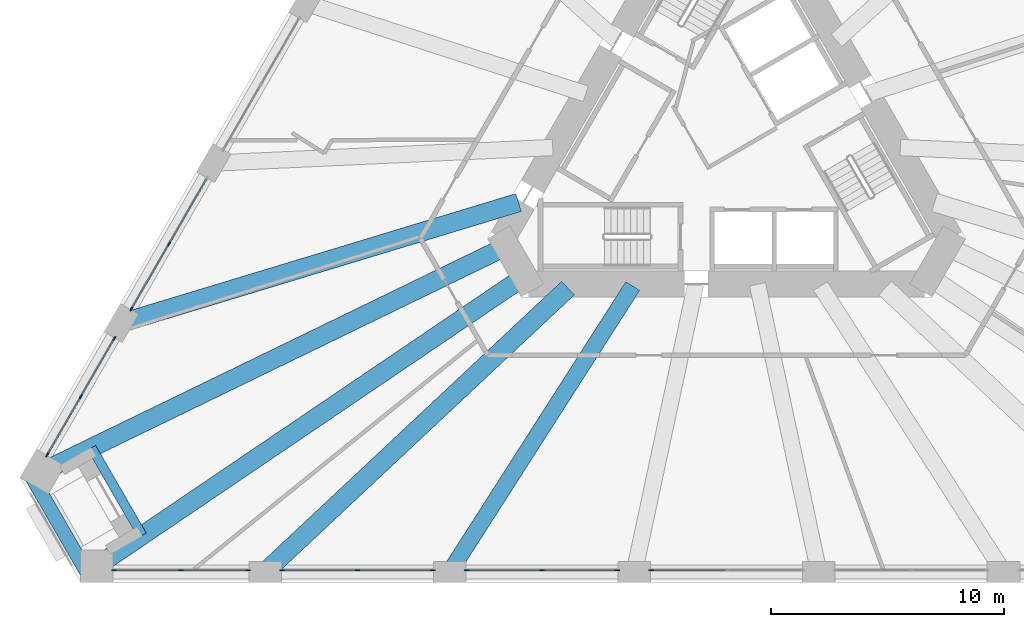
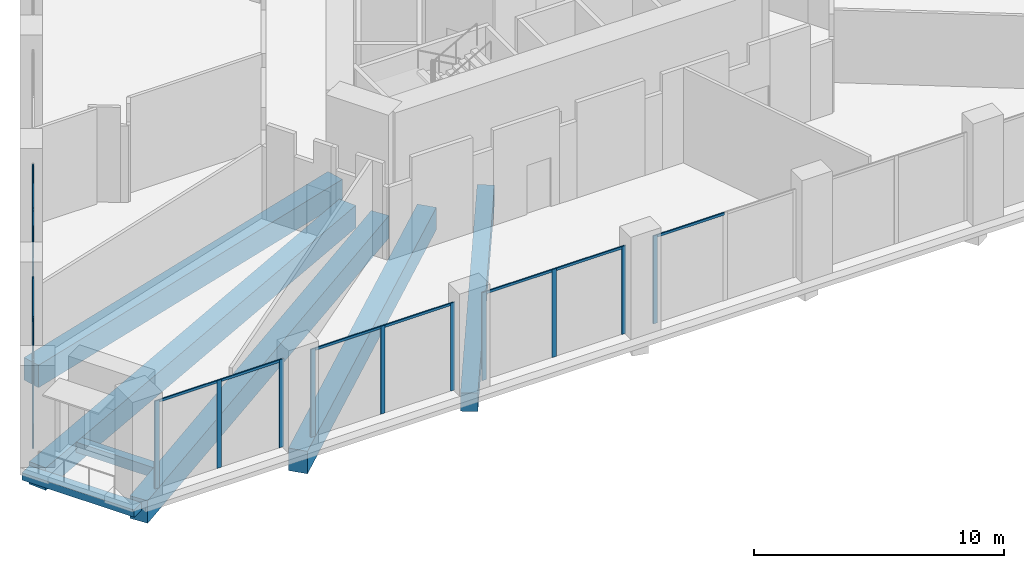
# One storey, part 2 of 20: 26 members, 7 beams, 6 elements without a shape of their own.
"""IFC4 building model written with IfcOpenShell, lengths in metres."""

from ifc_helpers import new_model, si_unit, direction, frame, origin, origin_2d, place, context, subcontext, project, spatial, rectangle, extrude, material, layer, layer_set, material_profile, profile_set, type_object, element, aggregate, save


model = new_model("IFC4")

# Units and contexts
model_context = context("Model", 3, precision=1e-05, world=origin(), true_north=direction((0.0, 1.0)))
body_context = subcontext(model_context, "Body", "Model", "MODEL_VIEW")
ifc_project = project(units=[si_unit("LENGTHUNIT", "METRE"), si_unit("AREAUNIT", "SQUARE_METRE"), si_unit("VOLUMEUNIT", "CUBIC_METRE"), si_unit("PLANEANGLEUNIT", "RADIAN"), si_unit("MASSUNIT", "GRAM", prefix="KILO")], contexts=[model_context])

# Site, building, storey
site_placement = place(None, origin())
site = spatial("IfcSite", under=ifc_project, at=site_placement, CompositionType="ELEMENT")
building_placement = place(site_placement, origin())
building = spatial("IfcBuilding", under=site, at=building_placement, Name="Tramontana Tower", CompositionType="ELEMENT")
storey_placement = place(building_placement, frame((0.0, 0.0, 10.0)))
storey = spatial("IfcBuildingStorey", under=building, at=storey_placement, Name="L01", CompositionType="ELEMENT", Elevation=10.0)

# Curtain wall, members
ifc_material_1 = material(Name="Aluminum extrusion", Category="aluminium")
ifc_layer = layer(ifc_material_1, 0.14990234375)
ifc_layer_set = layer_set([ifc_layer], Name="CW2 Podium amenity curtain wall")
curtain_wall_type = type_object("IfcCurtainWallType", Name="CW2 Podium amenity curtain wall", PredefinedType="NOTDEFINED", material=ifc_layer_set)
curtain_wall_1_placement = place(storey_placement, origin())
curtain_wall_1 = element("IfcCurtainWall", 1, at=curtain_wall_1_placement, inside=storey, type_object=curtain_wall_type, Name="CW2 curtain wall L01 face 0 bay 6", PredefinedType="NOTDEFINED")
ifc_material_2 = material(Name="Aluminum extrusion", Category="aluminium")
ifc_material_profile_1 = material_profile(ifc_material_2, rectangle(XDim=0.06005859375, YDim=0.199951171875, at=origin_2d()), Name="CW2-M Mullion 60 x 200")
ifc_profile_set_1 = profile_set([ifc_material_profile_1], Name="Aluminum extrusion")
member_type_1 = type_object("IfcMemberType", Name="CW2-M Mullion 60 x 200", PredefinedType="MULLION", material=ifc_profile_set_1)
member_1_placement = place(storey_placement, frame((-23.917724609375, -4.476806640625, 0.0), z_axis=(0.0, 0.0, 1.0), x_axis=(0.866025403784, -0.5, 0.0)))
member_1 = element("IfcMember", 2, at=member_1_placement, type_object=member_type_1, Name="CW2 curtain wall L01 face 0 bay 6 mullion 2", PredefinedType="MULLION", context=body_context, shape_type="SweptSolid", body=[
    extrude(rectangle(XDim=0.06005859375, YDim=0.199951171875, at=origin_2d()), origin(), (0.0, 0.0, 1.0), 4.300048828125),
])
member_2_placement = place(storey_placement, frame((-25.5322265625, -7.273193359375, 0.0), z_axis=(0.0, 0.0, 1.0), x_axis=(0.866025403784, -0.5, 0.0)))
member_2 = element("IfcMember", 3, at=member_2_placement, type_object=member_type_1, Name="CW2 curtain wall L01 face 0 bay 6 mullion 3", PredefinedType="MULLION", context=body_context, shape_type="SweptSolid", body=[
    extrude(rectangle(XDim=0.06005859375, YDim=0.199951171875, at=origin_2d()), origin(), (0.0, 0.0, 1.0), 4.300048828125),
])

curtain_wall_2_placement = place(storey_placement, origin())
curtain_wall_2 = element("IfcCurtainWall", 4, at=curtain_wall_2_placement, inside=storey, type_object=curtain_wall_type, Name="CW2 curtain wall L01 face 0 bay 7", PredefinedType="NOTDEFINED")
member_3_placement = place(storey_placement, frame((-26.26220703125, -8.53759765625, 0.0), z_axis=(0.0, 0.0, 1.0), x_axis=(0.866025403784, -0.5, 0.0)))
member_3 = element("IfcMember", 5, at=member_3_placement, type_object=member_type_1, Name="CW2 curtain wall L01 face 0 bay 7 mullion 1", PredefinedType="MULLION", context=body_context, shape_type="SweptSolid", body=[
    extrude(rectangle(XDim=0.06005859375, YDim=0.199951171875, at=origin_2d()), origin(), (0.0, 0.0, 1.0), 4.300048828125),
])
member_4_placement = place(storey_placement, frame((-27.70166015625, -11.03076171875, 0.0), z_axis=(0.0, 0.0, 1.0), x_axis=(0.866025403784, -0.5, 0.0)))
member_4 = element("IfcMember", 6, at=member_4_placement, type_object=member_type_1, Name="CW2 curtain wall L01 face 0 bay 7 mullion 2", PredefinedType="MULLION", context=body_context, shape_type="SweptSolid", body=[
    extrude(rectangle(XDim=0.06005859375, YDim=0.199951171875, at=origin_2d()), origin(), (0.0, 0.0, 1.0), 4.300048828125),
])
member_5_placement = place(storey_placement, frame((-29.14111328125, -13.524169921875, 0.0), z_axis=(0.0, 0.0, 1.0), x_axis=(0.866025403784, -0.5, 0.0)))
member_5 = element("IfcMember", 7, at=member_5_placement, type_object=member_type_1, Name="CW2 curtain wall L01 face 0 bay 7 mullion 3", PredefinedType="MULLION", context=body_context, shape_type="SweptSolid", body=[
    extrude(rectangle(XDim=0.06005859375, YDim=0.199951171875, at=origin_2d()), origin(), (0.0, 0.0, 1.0), 4.300048828125),
])

curtain_wall_3_placement = place(storey_placement, origin())
curtain_wall_3 = element("IfcCurtainWall", 8, at=curtain_wall_3_placement, inside=storey, type_object=curtain_wall_type, Name="CW2 curtain wall L01 face 1 bay 1", PredefinedType="NOTDEFINED")
member_6_placement = place(storey_placement, frame((-26.28271484375, -18.47509765625, 0.0), z_axis=(0.0, 0.0, 1.0), x_axis=(0.0, 1.0, 0.0)))
member_6 = element("IfcMember", 9, at=member_6_placement, type_object=member_type_1, Name="CW2 curtain wall L01 face 1 bay 1 mullion 1", PredefinedType="MULLION", context=body_context, shape_type="SweptSolid", body=[
    extrude(rectangle(XDim=0.06005859375, YDim=0.199951171875, at=origin_2d()), origin(), (0.0, 0.0, 1.0), 4.300048828125),
])
member_7_placement = place(storey_placement, frame((-23.40380859375, -18.47509765625, 0.0), z_axis=(0.0, 0.0, 1.0), x_axis=(0.0, 1.0, 0.0)))
member_7 = element("IfcMember", 10, at=member_7_placement, type_object=member_type_1, Name="CW2 curtain wall L01 face 1 bay 1 mullion 2", PredefinedType="MULLION", context=body_context, shape_type="SweptSolid", body=[
    extrude(rectangle(XDim=0.06005859375, YDim=0.199951171875, at=origin_2d()), origin(), (0.0, 0.0, 1.0), 4.300048828125),
])
member_8_placement = place(storey_placement, frame((-20.52490234375, -18.47509765625, 0.0), z_axis=(0.0, 0.0, 1.0), x_axis=(0.0, 1.0, 0.0)))
member_8 = element("IfcMember", 11, at=member_8_placement, type_object=member_type_1, Name="CW2 curtain wall L01 face 1 bay 1 mullion 3", PredefinedType="MULLION", context=body_context, shape_type="SweptSolid", body=[
    extrude(rectangle(XDim=0.06005859375, YDim=0.199951171875, at=origin_2d()), origin(), (0.0, 0.0, 1.0), 4.300048828125),
])

curtain_wall_4_placement = place(storey_placement, origin())
curtain_wall_4 = element("IfcCurtainWall", 12, at=curtain_wall_4_placement, inside=storey, type_object=curtain_wall_type, Name="CW2 curtain wall L01 face 1 bay 2", PredefinedType="NOTDEFINED")
member_9_placement = place(storey_placement, frame((-19.06494140625, -18.47509765625, 0.0), z_axis=(0.0, 0.0, 1.0), x_axis=(0.0, 1.0, 0.0)))
member_9 = element("IfcMember", 13, at=member_9_placement, type_object=member_type_1, Name="CW2 curtain wall L01 face 1 bay 2 mullion 1", PredefinedType="MULLION", context=body_context, shape_type="SweptSolid", body=[
    extrude(rectangle(XDim=0.06005859375, YDim=0.199951171875, at=origin_2d()), origin(), (0.0, 0.0, 1.0), 4.300048828125),
])
member_10_placement = place(storey_placement, frame((-15.8359375, -18.47509765625, 0.0), z_axis=(0.0, 0.0, 1.0), x_axis=(0.0, 1.0, 0.0)))
member_10 = element("IfcMember", 14, at=member_10_placement, type_object=member_type_1, Name="CW2 curtain wall L01 face 1 bay 2 mullion 2", PredefinedType="MULLION", context=body_context, shape_type="SweptSolid", body=[
    extrude(rectangle(XDim=0.06005859375, YDim=0.199951171875, at=origin_2d()), origin(), (0.0, 0.0, 1.0), 4.300048828125),
])
member_11_placement = place(storey_placement, frame((-12.60693359375, -18.47509765625, 0.0), z_axis=(0.0, 0.0, 1.0), x_axis=(0.0, 1.0, 0.0)))
member_11 = element("IfcMember", 15, at=member_11_placement, type_object=member_type_1, Name="CW2 curtain wall L01 face 1 bay 2 mullion 3", PredefinedType="MULLION", context=body_context, shape_type="SweptSolid", body=[
    extrude(rectangle(XDim=0.06005859375, YDim=0.199951171875, at=origin_2d()), origin(), (0.0, 0.0, 1.0), 4.300048828125),
])

curtain_wall_5_placement = place(storey_placement, origin())
curtain_wall_5 = element("IfcCurtainWall", 16, at=curtain_wall_5_placement, inside=storey, type_object=curtain_wall_type, Name="CW2 curtain wall L01 face 1 bay 3", PredefinedType="NOTDEFINED")
member_12_placement = place(storey_placement, frame((-11.14697265625, -18.47509765625, 0.0), z_axis=(0.0, 0.0, 1.0), x_axis=(0.0, 1.0, 0.0)))
member_12 = element("IfcMember", 17, at=member_12_placement, type_object=member_type_1, Name="CW2 curtain wall L01 face 1 bay 3 mullion 1", PredefinedType="MULLION", context=body_context, shape_type="SweptSolid", body=[
    extrude(rectangle(XDim=0.06005859375, YDim=0.199951171875, at=origin_2d()), origin(), (0.0, 0.0, 1.0), 4.300048828125),
])
member_13_placement = place(storey_placement, frame((-7.91796875, -18.47509765625, 0.0), z_axis=(0.0, 0.0, 1.0), x_axis=(0.0, 1.0, 0.0)))
member_13 = element("IfcMember", 18, at=member_13_placement, type_object=member_type_1, Name="CW2 curtain wall L01 face 1 bay 3 mullion 2", PredefinedType="MULLION", context=body_context, shape_type="SweptSolid", body=[
    extrude(rectangle(XDim=0.06005859375, YDim=0.199951171875, at=origin_2d()), origin(), (0.0, 0.0, 1.0), 4.300048828125),
])
member_14_placement = place(storey_placement, frame((-4.68896484375, -18.47509765625, 0.0), z_axis=(0.0, 0.0, 1.0), x_axis=(0.0, 1.0, 0.0)))
member_14 = element("IfcMember", 19, at=member_14_placement, type_object=member_type_1, Name="CW2 curtain wall L01 face 1 bay 3 mullion 3", PredefinedType="MULLION", context=body_context, shape_type="SweptSolid", body=[
    extrude(rectangle(XDim=0.06005859375, YDim=0.199951171875, at=origin_2d()), origin(), (0.0, 0.0, 1.0), 4.300048828125),
])

# Curtain wall, member
curtain_wall_6_placement = place(storey_placement, origin())
curtain_wall_6 = element("IfcCurtainWall", 20, at=curtain_wall_6_placement, inside=storey, type_object=curtain_wall_type, Name="CW2 curtain wall L01 face 1 bay 4", PredefinedType="NOTDEFINED")
member_15_placement = place(storey_placement, frame((-3.22900390625, -18.47509765625, 0.0), z_axis=(0.0, 0.0, 1.0), x_axis=(0.0, 1.0, 0.0)))
member_15 = element("IfcMember", 21, at=member_15_placement, type_object=member_type_1, Name="CW2 curtain wall L01 face 1 bay 4 mullion 1", PredefinedType="MULLION", context=body_context, shape_type="SweptSolid", body=[
    extrude(rectangle(XDim=0.06005859375, YDim=0.199951171875, at=origin_2d()), origin(), (0.0, 0.0, 1.0), 4.300048828125),
])

# Member
ifc_material_3 = material(Name="Aluminum extrusion", Category="aluminium")
ifc_material_profile_2 = material_profile(ifc_material_3, rectangle(XDim=0.06005859375, YDim=0.1201171875, at=origin_2d()), Name="CW2-T Transom 60 x 120")
ifc_profile_set_2 = profile_set([ifc_material_profile_2], Name="Aluminum extrusion")
member_type_2 = type_object("IfcMemberType", Name="CW2-T Transom 60 x 120", PredefinedType="USERDEFINED", material=ifc_profile_set_2)
member_16_placement = place(storey_placement, frame((-22.318359375, -1.706298828125, 4.239990234375), z_axis=(-0.500000324964, -0.866025216166, 0.0), x_axis=(0.866025216166, -0.500000324964, 0.0)))
member_16 = element("IfcMember", 22, at=member_16_placement, type_object=member_type_2, Name="CW2 curtain wall L01 face 0 bay 6 transom 1.1", ObjectType="TRANSOM", PredefinedType="USERDEFINED", context=body_context, shape_type="SweptSolid", body=[
    extrude(rectangle(XDim=0.06005859375, YDim=0.1201171875, at=origin_2d()), origin(), (0.0, 0.0, 1.0), 3.1689453125),
])

member_17_placement = place(storey_placement, frame((-23.932861328125, -4.502685546875, 4.239990234375), z_axis=(-0.500000324964, -0.866025216166, 0.0), x_axis=(0.866025216166, -0.500000324964, 0.0)))
member_17 = element("IfcMember", 23, at=member_17_placement, type_object=member_type_2, Name="CW2 curtain wall L01 face 0 bay 6 transom 2.1", ObjectType="TRANSOM", PredefinedType="USERDEFINED", context=body_context, shape_type="SweptSolid", body=[
    extrude(rectangle(XDim=0.06005859375, YDim=0.1201171875, at=origin_2d()), origin(), (0.0, 0.0, 1.0), 3.1689453125),
])

aggregate(curtain_wall_1, [member_1, member_2, member_16, member_17])

member_18_placement = place(storey_placement, frame((-26.27734375, -8.5634765625, 4.239990234375), z_axis=(-0.499967348137, -0.866044254525, 0.0), x_axis=(0.866044254525, -0.499967348137, 0.0)))
member_18 = element("IfcMember", 24, at=member_18_placement, type_object=member_type_2, Name="CW2 curtain wall L01 face 0 bay 7 transom 1.1", ObjectType="TRANSOM", PredefinedType="USERDEFINED", context=body_context, shape_type="SweptSolid", body=[
    extrude(rectangle(XDim=0.06005859375, YDim=0.1201171875, at=origin_2d()), origin(), (0.0, 0.0, 1.0), 2.819091796875),
])

member_19_placement = place(storey_placement, frame((-27.716796875, -11.056884765625, 4.239990234375), z_axis=(-0.500004849665, -0.866022603811, 0.0), x_axis=(0.866022603811, -0.500004849665, 0.0)))
member_19 = element("IfcMember", 25, at=member_19_placement, type_object=member_type_2, Name="CW2 curtain wall L01 face 0 bay 7 transom 2.1", ObjectType="TRANSOM", PredefinedType="USERDEFINED", context=body_context, shape_type="SweptSolid", body=[
    extrude(rectangle(XDim=0.06005859375, YDim=0.1201171875, at=origin_2d()), origin(), (0.0, 0.0, 1.0), 2.81884765625),
])

aggregate(curtain_wall_2, [member_3, member_4, member_5, member_18, member_19])

member_20_placement = place(storey_placement, frame((-26.2529296875, -18.47509765625, 4.239990234375), z_axis=(1.0, 0.0, 0.0), x_axis=(0.0, 1.0, 0.0)))
member_20 = element("IfcMember", 26, at=member_20_placement, type_object=member_type_2, Name="CW2 curtain wall L01 face 1 bay 1 transom 1.1", ObjectType="TRANSOM", PredefinedType="USERDEFINED", context=body_context, shape_type="SweptSolid", body=[
    extrude(rectangle(XDim=0.06005859375, YDim=0.1201171875, at=origin_2d()), origin(), (0.0, 0.0, 1.0), 2.819091796875),
])

member_21_placement = place(storey_placement, frame((-23.373779296875, -18.47509765625, 4.239990234375), z_axis=(1.0, 0.0, 0.0), x_axis=(0.0, 1.0, 0.0)))
member_21 = element("IfcMember", 27, at=member_21_placement, type_object=member_type_2, Name="CW2 curtain wall L01 face 1 bay 1 transom 2.1", ObjectType="TRANSOM", PredefinedType="USERDEFINED", context=body_context, shape_type="SweptSolid", body=[
    extrude(rectangle(XDim=0.06005859375, YDim=0.1201171875, at=origin_2d()), origin(), (0.0, 0.0, 1.0), 2.81884765625),
])

aggregate(curtain_wall_3, [member_6, member_7, member_8, member_20, member_21])

member_22_placement = place(storey_placement, frame((-19.034912109375, -18.47509765625, 4.239990234375), z_axis=(1.0, 0.0, 0.0), x_axis=(0.0, 1.0, 0.0)))
member_22 = element("IfcMember", 28, at=member_22_placement, type_object=member_type_2, Name="CW2 curtain wall L01 face 1 bay 2 transom 1.1", ObjectType="TRANSOM", PredefinedType="USERDEFINED", context=body_context, shape_type="SweptSolid", body=[
    extrude(rectangle(XDim=0.06005859375, YDim=0.1201171875, at=origin_2d()), origin(), (0.0, 0.0, 1.0), 3.1689453125),
])

member_23_placement = place(storey_placement, frame((-15.805908203125, -18.47509765625, 4.239990234375), z_axis=(1.0, 0.0, 0.0), x_axis=(0.0, 1.0, 0.0)))
member_23 = element("IfcMember", 29, at=member_23_placement, type_object=member_type_2, Name="CW2 curtain wall L01 face 1 bay 2 transom 2.1", ObjectType="TRANSOM", PredefinedType="USERDEFINED", context=body_context, shape_type="SweptSolid", body=[
    extrude(rectangle(XDim=0.06005859375, YDim=0.1201171875, at=origin_2d()), origin(), (0.0, 0.0, 1.0), 3.1689453125),
])

aggregate(curtain_wall_4, [member_9, member_10, member_11, member_22, member_23])

member_24_placement = place(storey_placement, frame((-11.116943359375, -18.47509765625, 4.239990234375), z_axis=(1.0, 0.0, 0.0), x_axis=(0.0, 1.0, 0.0)))
member_24 = element("IfcMember", 30, at=member_24_placement, type_object=member_type_2, Name="CW2 curtain wall L01 face 1 bay 3 transom 1.1", ObjectType="TRANSOM", PredefinedType="USERDEFINED", context=body_context, shape_type="SweptSolid", body=[
    extrude(rectangle(XDim=0.06005859375, YDim=0.1201171875, at=origin_2d()), origin(), (0.0, 0.0, 1.0), 3.1689453125),
])

member_25_placement = place(storey_placement, frame((-7.887939453125, -18.47509765625, 4.239990234375), z_axis=(1.0, 0.0, 0.0), x_axis=(0.0, 1.0, 0.0)))
member_25 = element("IfcMember", 31, at=member_25_placement, type_object=member_type_2, Name="CW2 curtain wall L01 face 1 bay 3 transom 2.1", ObjectType="TRANSOM", PredefinedType="USERDEFINED", context=body_context, shape_type="SweptSolid", body=[
    extrude(rectangle(XDim=0.06005859375, YDim=0.1201171875, at=origin_2d()), origin(), (0.0, 0.0, 1.0), 3.1689453125),
])

aggregate(curtain_wall_5, [member_12, member_13, member_14, member_24, member_25])

member_26_placement = place(storey_placement, frame((-3.198974609375, -18.47509765625, 4.239990234375), z_axis=(1.0, 0.0, 0.0), x_axis=(0.0, 1.0, 0.0)))
member_26 = element("IfcMember", 32, at=member_26_placement, type_object=member_type_2, Name="CW2 curtain wall L01 face 1 bay 4 transom 1.1", ObjectType="TRANSOM", PredefinedType="USERDEFINED", context=body_context, shape_type="SweptSolid", body=[
    extrude(rectangle(XDim=0.06005859375, YDim=0.1201171875, at=origin_2d()), origin(), (0.0, 0.0, 1.0), 3.1689453125),
])

aggregate(curtain_wall_6, [member_15, member_26])

# Beams
ifc_material_4 = material(Name="Concrete 40 MPa", Category="concrete")
ifc_material_profile_3 = material_profile(ifc_material_4, rectangle(XDim=0.60009765625, YDim=0.35009765625, at=origin_2d()), Name="RC EDGE BEAM 600X350 40 MPa")
ifc_profile_set_3 = profile_set([ifc_material_profile_3], Name="Concrete 40 MPa")
beam_type_1 = type_object("IfcBeamType", Name="RC EDGE BEAM 600X350 40 MPa", PredefinedType="SPANDREL", material=ifc_profile_set_3)
beam_1_placement = place(storey_placement, frame((-29.921142578125, -14.27490234375, -0.52490234375), z_axis=(0.50000986103, -0.866019710441, 0.0), x_axis=(0.866019710441, 0.50000986103, 0.0)))
element("IfcBeam", 33, at=beam_1_placement, inside=storey, type_object=beam_type_1, Name="Spandrel beam K1 L01", PredefinedType="SPANDREL", context=body_context, shape_type="SweptSolid", body=[
    extrude(rectangle(XDim=0.60009765625, YDim=0.35009765625, at=origin_2d()), origin(), (0.0, 0.0, 1.0), 5.1962890625),
])
ifc_material_5 = material(Name="Concrete 40 MPa", Category="concrete")
ifc_material_profile_4 = material_profile(ifc_material_5, rectangle(XDim=0.699951171875, YDim=0.89990234375, at=origin_2d()), Name="RC GIRDER 700X900 40 MPa")
ifc_profile_set_4 = profile_set([ifc_material_profile_4], Name="Concrete 40 MPa")
beam_type_2 = type_object("IfcBeamType", Name="RC GIRDER 700X900 40 MPa", PredefinedType="BEAM", material=ifc_profile_set_4)
beam_2_placement = place(storey_placement, frame((-11.876953125, -18.550048828125, -0.800048828125), z_axis=(0.539217827497, 0.84216633423, 0.0), x_axis=(-0.84216633423, 0.539217827497, 0.0)))
element("IfcBeam", 34, at=beam_2_placement, inside=storey, type_object=beam_type_2, Name="Radial girder C0F08 L01", PredefinedType="BEAM", context=body_context, shape_type="SweptSolid", body=[
    extrude(rectangle(XDim=0.699951171875, YDim=0.89990234375, at=origin_2d()), origin(), (0.0, 0.0, 1.0), 14.5615234375),
])
ifc_material_6 = material(Name="Concrete 40 MPa", Category="concrete")
ifc_material_profile_5 = material_profile(ifc_material_6, rectangle(XDim=0.800048828125, YDim=1.10009765625, at=origin_2d()), Name="RC GIRDER 800X1100 40 MPa")
ifc_profile_set_5 = profile_set([ifc_material_profile_5], Name="Concrete 40 MPa")
beam_type_3 = type_object("IfcBeamType", Name="RC GIRDER 800X1100 40 MPa", PredefinedType="BEAM", material=ifc_profile_set_5)
beam_3_placement = place(storey_placement, frame((-25.962158203125, -7.867919921875, -0.89990234375), z_axis=(0.95701990712, 0.290022236004, 0.0), x_axis=(-0.290022236004, 0.95701990712, 0.0)))
element("IfcBeam", 35, at=beam_3_placement, inside=storey, type_object=beam_type_3, Name="Radial girder C0F06 L01", PredefinedType="BEAM", context=body_context, shape_type="SweptSolid", body=[
    extrude(rectangle(XDim=0.800048828125, YDim=1.10009765625, at=origin_2d()), origin(), (0.0, 0.0, 1.0), 17.806640625),
])
beam_4_placement = place(storey_placement, frame((-29.354736328125, -14.243896484375, -0.89990234375), z_axis=(0.899679009302, 0.436552036098, 0.0), x_axis=(-0.436552036098, 0.899679009302, 0.0)))
element("IfcBeam", 36, at=beam_4_placement, inside=storey, type_object=beam_type_3, Name="Radial girder C0K2 L01", PredefinedType="BEAM", context=body_context, shape_type="SweptSolid", body=[
    extrude(rectangle(XDim=0.800048828125, YDim=1.10009765625, at=origin_2d()), origin(), (0.0, 0.0, 1.0), 22.149658203125),
])
beam_5_placement = place(storey_placement, frame((-27.0126953125, -18.300048828125, -0.89990234375), z_axis=(0.827898052271, 0.560878609903, 0.0), x_axis=(-0.560878609903, 0.827898052271, 0.0)))
element("IfcBeam", 37, at=beam_5_placement, inside=storey, type_object=beam_type_3, Name="Radial girder C0K3 L01", PredefinedType="BEAM", context=body_context, shape_type="SweptSolid", body=[
    extrude(rectangle(XDim=0.800048828125, YDim=1.10009765625, at=origin_2d()), origin(), (0.0, 0.0, 1.0), 22.1494140625),
])
beam_6_placement = place(storey_placement, frame((-19.794921875, -18.550048828125, -0.89990234375), z_axis=(0.72967229952, 0.683796998614, 0.0), x_axis=(-0.683796998614, 0.72967229952, 0.0)))
element("IfcBeam", 38, at=beam_6_placement, inside=storey, type_object=beam_type_3, Name="Radial girder C0F07 L01", PredefinedType="BEAM", context=body_context, shape_type="SweptSolid", body=[
    extrude(rectangle(XDim=0.800048828125, YDim=1.10009765625, at=origin_2d()), origin(), (0.0, 0.0, 1.0), 17.806884765625),
])
ifc_material_7 = material(Name="Concrete 40 MPa", Category="concrete")
ifc_material_profile_6 = material_profile(ifc_material_7, rectangle(XDim=0.39990234375, YDim=0.5, at=origin_2d()), Name="RC TRIM BEAM 400X500 40 MPa")
ifc_profile_set_6 = profile_set([ifc_material_profile_6], Name="Concrete 40 MPa")
beam_type_4 = type_object("IfcBeamType", Name="RC TRIM BEAM 400X500 40 MPa", PredefinedType="JOIST", material=ifc_profile_set_6)
beam_7_placement = place(storey_placement, frame((-27.240478515625, -13.218017578125, -0.60009765625), z_axis=(0.499999616612, -0.866025625133, 0.0), x_axis=(0.866025625133, 0.499999616612, 0.0)))
element("IfcBeam", 39, at=beam_7_placement, inside=storey, type_object=beam_type_4, Name="Trimmer beam K1 L01", PredefinedType="JOIST", context=body_context, shape_type="SweptSolid", body=[
    extrude(rectangle(XDim=0.39990234375, YDim=0.5, at=origin_2d()), origin(), (0.0, 0.0, 1.0), 4.34619140625),
])

save(model, "model.ifc")
